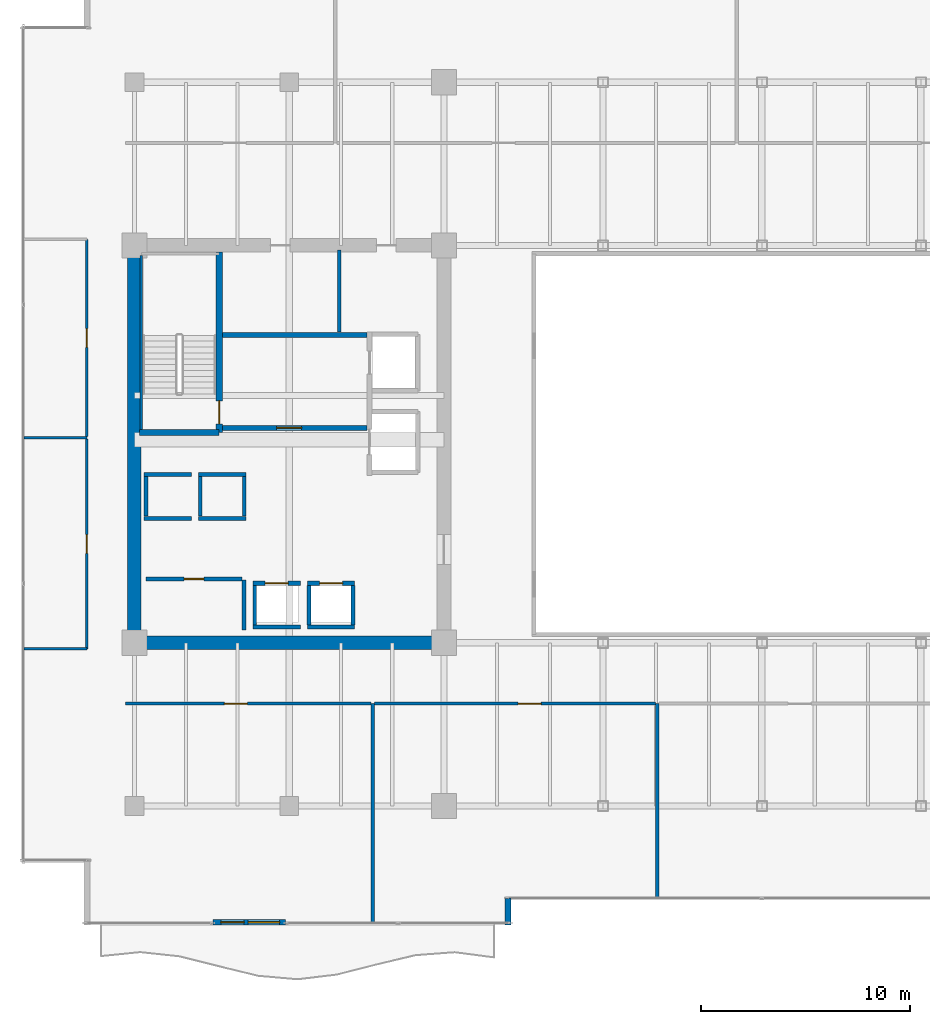
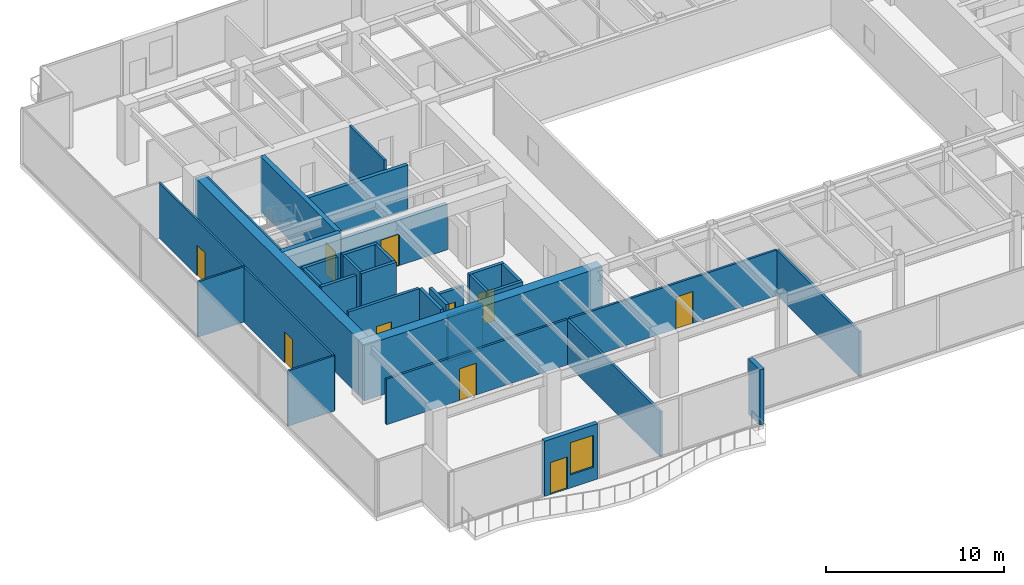
# One storey, part 23 of 30: 34 walls, 10 doors, 1 window, 11 openings.
"""IFC4 building model written with IfcOpenShell, lengths in metres."""

from ifc_helpers import new_model, si_unit, direction, frame, frame_2d, origin, place, context, subcontext, project, spatial, rectangle, extrude, source, transform, mapped, material, layer, layer_set, type_object, type_shapes, element, fill, save


model = new_model("IFC4")

# Units and contexts
model_context = context("Model", 3, precision=1e-05, world=origin(), true_north=direction((0.0, 1.0)))
body_context = subcontext(model_context, "Body", "Model", "MODEL_VIEW")
ifc_project = project(units=[si_unit("LENGTHUNIT", "METRE"), si_unit("AREAUNIT", "SQUARE_METRE"), si_unit("VOLUMEUNIT", "CUBIC_METRE"), si_unit("PLANEANGLEUNIT", "RADIAN"), si_unit("MASSUNIT", "GRAM", prefix="KILO")], contexts=[model_context])

# Site, building, storey
site_placement = place(None, origin())
site = spatial("IfcSite", under=ifc_project, at=site_placement, CompositionType="ELEMENT")
building_placement = place(site_placement, origin())
building = spatial("IfcBuilding", under=site, at=building_placement, Name="Haelvirn Gate Laboratories", CompositionType="ELEMENT")
storey_placement = place(building_placement, frame((0.0, 0.0, 146.10009765625)))
storey = spatial("IfcBuildingStorey", under=building, at=storey_placement, Name="L35", CompositionType="ELEMENT", Elevation=146.10009765625)

# Wall, openings, door, window
ifc_material_1 = material(Name="Thermally-broken bronze aluminium rainscreen & mineral wool", Category="aluminium")
ifc_layer_1 = layer(ifc_material_1, 0.280029296875, Name="EW-TERR-280")
ifc_layer_set_1 = layer_set([ifc_layer_1], Name="Thermally-broken bronze aluminium rainscreen & mineral wool")
wall_type_1 = type_object("IfcWallType", Name="EW-TERR-280", PredefinedType="STANDARD", material=ifc_layer_set_1)
wall_1_placement = place(storey_placement, frame((11.162109375, 1.43994140625, 0.0), z_axis=(0.0, 0.0, 1.0), x_axis=(1.0, 0.0, 0.0)))
wall_1 = element("IfcWall", 1, at=wall_1_placement, inside=storey, type_object=wall_type_1, Name="L35 Terrace Access Wall WB-WL-S", PredefinedType="STANDARD", context=body_context, shape_type="SweptSolid", body=[
    extrude(rectangle(XDim=3.4609375, YDim=0.280029296875, at=frame_2d((1.73046875, 0.0))), origin(), (0.0, 0.0, 1.0), 3.789794921875),
])
opening_1_placement = place(wall_1_placement, frame((0.3779296875, 0.0, 0.0)))
opening_1 = element("IfcOpeningElement", 2, at=opening_1_placement, cuts=wall_1, Name="Opening TD1", PredefinedType="OPENING", context=body_context, shape_type="SweptSolid", body=[
    extrude(rectangle(XDim=1.10009765625, YDim=2.199951171875, at=frame_2d((0.550048828125, 1.10009765625))), frame((0.0, 0.14990234375, 0.0), z_axis=(0.0, -1.0, 0.0), x_axis=(1.0, 0.0, 0.0)), (0.0, 0.0, 1.0), 0.300048828125),
])
opening_2_placement = place(wall_1_placement, frame((1.677978515625, 0.0, 0.89990234375)))
opening_2 = element("IfcOpeningElement", 3, at=opening_2_placement, cuts=wall_1, Name="Opening W3", PredefinedType="OPENING", context=body_context, shape_type="SweptSolid", body=[
    extrude(rectangle(XDim=1.5, YDim=2.199951171875, at=frame_2d((0.75, 1.10009765625))), frame((0.0, 0.14990234375, 0.0), z_axis=(0.0, -1.0, 0.0), x_axis=(1.0, 0.0, 0.0)), (0.0, 0.0, 1.0), 0.300048828125),
])
ifc_material_2 = material(Name="Thermally-broken bronze aluminium glazed terrace door", Category="aluminium")
door_type_1 = type_object("IfcDoorType", Name="DR-TERR-1100", OperationType="NOTDEFINED", PredefinedType="DOOR", material=ifc_material_2)
shared_shape_1 = source(origin(), body_context, "Body", "SweptSolid", [
    extrude(rectangle(XDim=1.10009765625, YDim=2.199951171875, at=frame_2d((0.550048828125, 1.10009765625))), frame((0.0, 0.02490234375, 0.0), z_axis=(0.0, -1.0, 0.0), x_axis=(1.0, 0.0, 0.0)), (0.0, 0.0, 1.0), 0.050048828125),
])
type_shapes(door_type_1, [shared_shape_1])
door_1_placement = place(opening_1_placement, origin())
door_1 = element("IfcDoor", 4, at=door_1_placement, inside=storey, type_object=door_type_1, Name="L35 Terrace Access Door WB-WL-S", OperationType="SINGLE_SWING_LEFT", OverallHeight=2.199951171875, OverallWidth=1.10009765625, PredefinedType="DOOR", context=body_context, shape_type="MappedRepresentation", body=[
    mapped(shared_shape_1, transform((0.0, 0.0, 0.0), scale=1.0)),
])
fill(opening_1, door_1)
ifc_material_3 = material(Name="Bronze anodised aluminium & triple low-E glass", Category="aluminium")
window_type = type_object("IfcWindowType", Name="WIN-TERR-1600", PartitioningType="SINGLE_PANEL", PredefinedType="WINDOW", material=ifc_material_3)
shared_shape_2 = source(origin(), body_context, "Body", "SweptSolid", [
    extrude(rectangle(XDim=1.5, YDim=2.199951171875, at=frame_2d((0.75, 1.10009765625))), frame((0.0, 0.030029296875, 0.0), z_axis=(0.0, -1.0, 0.0), x_axis=(1.0, 0.0, 0.0)), (0.0, 0.0, 1.0), 0.06005859375),
])
type_shapes(window_type, [shared_shape_2])
window_placement = place(opening_2_placement, origin())
window = element("IfcWindow", 5, at=window_placement, inside=storey, type_object=window_type, Name="L35 Terrace Vision Window WB-WL-S", OverallHeight=2.199951171875, OverallWidth=1.5, PartitioningType="SINGLE_PANEL", PredefinedType="WINDOW", context=body_context, shape_type="MappedRepresentation", body=[
    mapped(shared_shape_2, transform((0.0, 0.0, 0.0), scale=1.0)),
])
fill(opening_2, window)

# Walls
wall_2_placement = place(storey_placement, frame((25.260009765625, 1.300048828125, 0.0), z_axis=(0.0, 0.0, 1.0), x_axis=(0.0, 1.0, 0.0)))
element("IfcWall", 6, at=wall_2_placement, inside=storey, type_object=wall_type_1, Name="L35 Atrium Recess Bronze Return Wall 01", PredefinedType="STANDARD", context=body_context, shape_type="SweptSolid", body=[
    extrude(rectangle(XDim=1.287841796875, YDim=0.280029296875, at=frame_2d((0.64404296875, 0.0))), origin(), (0.0, 0.0, 1.0), 3.789794921875),
])
ifc_material_4 = material(Name="Double-layer acoustic gypsum laboratory partition", Category="gypsum")
ifc_layer_2 = layer(ifc_material_4, 0.159912109375, Name="IW-ACOUST-160")
ifc_layer_set_2 = layer_set([ifc_layer_2], Name="Double-layer acoustic gypsum laboratory partition")
wall_type_2 = type_object("IfcWallType", Name="IW-ACOUST-160", PredefinedType="PARTITIONING", material=ifc_layer_set_2)
wall_3_placement = place(storey_placement, frame((18.800048828125, 1.409912109375, 0.0), z_axis=(0.0, 0.0, 1.0), x_axis=(0.0, 1.0, 0.0)))
element("IfcWall", 7, at=wall_3_placement, inside=storey, type_object=wall_type_2, Name="L35 Interior Wall IW-L35-SDIV-01", PredefinedType="PARTITIONING", context=body_context, shape_type="SweptSolid", body=[
    extrude(rectangle(XDim=10.47998046875, YDim=0.159912109375, at=frame_2d((5.239990234375, 0.0))), origin(), (0.0, 0.0, 1.0), 3.074951171875),
])
wall_4_placement = place(storey_placement, frame((32.39990234375, 2.610107421875, 0.0), z_axis=(0.0, 0.0, 1.0), x_axis=(0.0, 1.0, 0.0)))
element("IfcWall", 8, at=wall_4_placement, inside=storey, type_object=wall_type_2, Name="L35 Interior Wall IW-L35-SDIV-02", PredefinedType="PARTITIONING", context=body_context, shape_type="SweptSolid", body=[
    extrude(rectangle(XDim=9.27978515625, YDim=0.159912109375, at=frame_2d((4.639892578125, 0.0))), origin(), (0.0, 0.0, 1.0), 3.074951171875),
])
ifc_material_5 = material(Name="Lightweight acoustic gypsum board partition", Category="gypsum")
ifc_layer_3 = layer(ifc_material_5, 0.1201171875, Name="IW-PART-120")
ifc_layer_set_3 = layer_set([ifc_layer_3], Name="Lightweight acoustic gypsum board partition")
wall_type_3 = type_object("IfcWallType", Name="IW-PART-120", PredefinedType="PARTITIONING", material=ifc_layer_set_3)
wall_5_placement = place(storey_placement, frame((2.110107421875, 14.514892578125, 0.0), z_axis=(0.0, 0.0, 1.0), x_axis=(1.0, 0.0, 0.0)))
element("IfcWall", 9, at=wall_5_placement, inside=storey, type_object=wall_type_3, Name="L35 Interior Wall IW-L35-WCAP-S", PredefinedType="PARTITIONING", context=body_context, shape_type="SweptSolid", body=[
    extrude(rectangle(XDim=3.019775390625, YDim=0.1201171875, at=frame_2d((1.509765625, 0.0))), origin(), (0.0, 0.0, 1.0), 3.789794921875),
])

# Wall, opening, door
wall_6_placement = place(storey_placement, frame((5.1298828125, 14.514892578125, 0.0), z_axis=(0.0, 0.0, 1.0), x_axis=(0.0, 1.0, 0.0)))
wall_6 = element("IfcWall", 10, at=wall_6_placement, inside=storey, type_object=wall_type_3, Name="L35 Interior Wall IW-L35-WPASS-01", PredefinedType="PARTITIONING", context=body_context, shape_type="SweptSolid", body=[
    extrude(rectangle(XDim=10.025146484375, YDim=0.1201171875, at=frame_2d((5.0126953125, 0.0))), origin(), (0.0, 0.0, 1.0), 3.789794921875),
])
opening_3_placement = place(wall_6_placement, frame((4.5625, 0.0, 0.0)))
opening_3 = element("IfcOpeningElement", 11, at=opening_3_placement, cuts=wall_6, Name="Opening D4", PredefinedType="OPENING", context=body_context, shape_type="SweptSolid", body=[
    extrude(rectangle(XDim=0.89990234375, YDim=2.10009765625, at=frame_2d((0.449951171875, 1.050048828125))), frame((0.0, 0.070068359375, 0.0), z_axis=(0.0, -1.0, 0.0), x_axis=(1.0, 0.0, 0.0)), (0.0, 0.0, 1.0), 0.14013671875),
])
ifc_material_6 = material(Name="Glazed aluminium-framed write-up door", Category="aluminium")
door_type_2 = type_object("IfcDoorType", Name="DR-OFF-900", OperationType="NOTDEFINED", PredefinedType="DOOR", material=ifc_material_6)
shared_shape_3 = source(origin(), body_context, "Body", "SweptSolid", [
    extrude(rectangle(XDim=0.89990234375, YDim=2.10009765625, at=frame_2d((0.449951171875, 1.050048828125))), frame((0.0, 0.02490234375, 0.0), z_axis=(0.0, -1.0, 0.0), x_axis=(1.0, 0.0, 0.0)), (0.0, 0.0, 1.0), 0.050048828125),
])
type_shapes(door_type_2, [shared_shape_3])
door_2_placement = place(opening_3_placement, origin())
door_2 = element("IfcDoor", 12, at=door_2_placement, inside=storey, type_object=door_type_2, Name="L35 Researcher Break Pantry Door W1", OperationType="SINGLE_SWING_LEFT", OverallHeight=2.10009765625, OverallWidth=0.89990234375, PredefinedType="DOOR", context=body_context, shape_type="MappedRepresentation", body=[
    mapped(shared_shape_3, transform((0.0, 0.0, 0.0), scale=1.0)),
])
fill(opening_3, door_2)

# Wall
wall_7_placement = place(storey_placement, frame((2.110107421875, 24.60009765625, 0.0), z_axis=(0.0, 0.0, 1.0), x_axis=(1.0, 0.0, 0.0)))
element("IfcWall", 13, at=wall_7_placement, inside=storey, type_object=wall_type_3, Name="L35 Interior Wall IW-L35-WDIV-01", PredefinedType="PARTITIONING", context=body_context, shape_type="SweptSolid", body=[
    extrude(rectangle(XDim=3.019775390625, YDim=0.1201171875, at=frame_2d((1.509765625, 0.0))), origin(), (0.0, 0.0, 1.0), 3.789794921875),
])

# Wall, opening, door
wall_8_placement = place(storey_placement, frame((5.1298828125, 24.659912109375, 0.0), z_axis=(0.0, 0.0, 1.0), x_axis=(0.0, 1.0, 0.0)))
wall_8 = element("IfcWall", 14, at=wall_8_placement, inside=storey, type_object=wall_type_3, Name="L35 Interior Wall IW-L35-WPASS-02", PredefinedType="PARTITIONING", context=body_context, shape_type="SweptSolid", body=[
    extrude(rectangle(XDim=9.425048828125, YDim=0.1201171875, at=frame_2d((4.71240234375, 0.0))), origin(), (0.0, 0.0, 1.0), 3.789794921875),
])
opening_4_placement = place(wall_8_placement, frame((4.262451171875, 0.0, 0.0)))
opening_4 = element("IfcOpeningElement", 15, at=opening_4_placement, cuts=wall_8, Name="Opening D4", PredefinedType="OPENING", context=body_context, shape_type="SweptSolid", body=[
    extrude(rectangle(XDim=0.89990234375, YDim=2.10009765625, at=frame_2d((0.449951171875, 1.050048828125))), frame((0.0, 0.070068359375, 0.0), z_axis=(0.0, -1.0, 0.0), x_axis=(1.0, 0.0, 0.0)), (0.0, 0.0, 1.0), 0.14013671875),
])
door_3_placement = place(opening_4_placement, origin())
door_3 = element("IfcDoor", 16, at=door_3_placement, inside=storey, type_object=door_type_2, Name="L35 Proteomics Mass-Spec Laboratory Door W2", OperationType="SINGLE_SWING_RIGHT", OverallHeight=2.10009765625, OverallWidth=0.89990234375, PredefinedType="DOOR", context=body_context, shape_type="MappedRepresentation", body=[
    mapped(shared_shape_3, transform((0.0, 0.0, 0.0), scale=1.0)),
])
fill(opening_4, door_3)

ifc_material_7 = material(Name="Acoustic mineral-wool gypsum board partition", Category="gypsum")
ifc_layer_4 = layer(ifc_material_7, 0.139892578125, Name="IW-PART-140")
ifc_layer_set_4 = layer_set([ifc_layer_4], Name="Acoustic mineral-wool gypsum board partition")
wall_type_4 = type_object("IfcWallType", Name="IW-PART-140", PredefinedType="PARTITIONING", material=ifc_layer_set_4)
wall_9_placement = place(storey_placement, frame((6.97998046875, 11.889892578125, 0.0), z_axis=(0.0, 0.0, 1.0), x_axis=(1.0, 0.0, 0.0)))
wall_9 = element("IfcWall", 17, at=wall_9_placement, inside=storey, type_object=wall_type_4, Name="L35 Interior Wall IW-L35-SCORR-01", PredefinedType="PARTITIONING", context=body_context, shape_type="SweptSolid", body=[
    extrude(rectangle(XDim=11.739990234375, YDim=0.139892578125, at=frame_2d((5.8701171875, 0.0))), origin(), (0.0, 0.0, 1.0), 3.125),
])
opening_5_placement = place(wall_9_placement, frame((4.7236328125, 0.0, 0.0)))
opening_5 = element("IfcOpeningElement", 18, at=opening_5_placement, cuts=wall_9, Name="Opening D1", PredefinedType="OPENING", context=body_context, shape_type="SweptSolid", body=[
    extrude(rectangle(XDim=1.10009765625, YDim=2.179931640625, at=frame_2d((0.550048828125, 1.08984375))), frame((0.0, 0.080078125, 0.0), z_axis=(0.0, -1.0, 0.0), x_axis=(1.0, 0.0, 0.0)), (0.0, 0.0, 1.0), 0.159912109375),
])
ifc_material_8 = material(Name="Vision-panel acoustic solid-core timber lab door", Category="wood")
door_type_3 = type_object("IfcDoorType", Name="DR-LAB-1100", OperationType="NOTDEFINED", PredefinedType="DOOR", material=ifc_material_8)
shared_shape_4 = source(origin(), body_context, "Body", "SweptSolid", [
    extrude(rectangle(XDim=1.10009765625, YDim=2.179931640625, at=frame_2d((0.550048828125, 1.08984375))), frame((0.0, 0.02490234375, 0.0), z_axis=(0.0, -1.0, 0.0), x_axis=(1.0, 0.0, 0.0)), (0.0, 0.0, 1.0), 0.050048828125),
])
type_shapes(door_type_3, [shared_shape_4])
door_4_placement = place(opening_5_placement, origin())
door_4 = element("IfcDoor", 19, at=door_4_placement, inside=storey, type_object=door_type_3, Name="L35 Translational Data Office Door S1", OperationType="SINGLE_SWING_RIGHT", OverallHeight=2.179931640625, OverallWidth=1.10009765625, PredefinedType="DOOR", context=body_context, shape_type="MappedRepresentation", body=[
    mapped(shared_shape_4, transform((0.0, 0.0, 0.0), scale=1.0)),
])
fill(opening_5, door_4)

wall_10_placement = place(storey_placement, frame((18.8798828125, 11.889892578125, 0.0), z_axis=(0.0, 0.0, 1.0), x_axis=(1.0, 0.0, 0.0)))
wall_10 = element("IfcWall", 20, at=wall_10_placement, inside=storey, type_object=wall_type_4, Name="L35 Interior Wall IW-L35-SCORR-02", PredefinedType="PARTITIONING", context=body_context, shape_type="SweptSolid", body=[
    extrude(rectangle(XDim=13.440185546875, YDim=0.139892578125, at=frame_2d((6.72021484375, 0.0))), origin(), (0.0, 0.0, 1.0), 3.125),
])
opening_6_placement = place(wall_10_placement, frame((6.868408203125, 0.0, 0.0)))
opening_6 = element("IfcOpeningElement", 21, at=opening_6_placement, cuts=wall_10, Name="Opening D1", PredefinedType="OPENING", context=body_context, shape_type="SweptSolid", body=[
    extrude(rectangle(XDim=1.10009765625, YDim=2.179931640625, at=frame_2d((0.550048828125, 1.08984375))), frame((0.0, 0.080078125, 0.0), z_axis=(0.0, -1.0, 0.0), x_axis=(1.0, 0.0, 0.0)), (0.0, 0.0, 1.0), 0.159912109375),
])
door_5_placement = place(opening_6_placement, origin())
door_5 = element("IfcDoor", 22, at=door_5_placement, inside=storey, type_object=door_type_3, Name="L35 Computational Write-Up Office Door S2", OperationType="SINGLE_SWING_LEFT", OverallHeight=2.179931640625, OverallWidth=1.10009765625, PredefinedType="DOOR", context=body_context, shape_type="MappedRepresentation", body=[
    mapped(shared_shape_4, transform((0.0, 0.0, 0.0), scale=1.0)),
])
fill(opening_6, door_5)

# Walls
ifc_material_9 = material(Name="Cement-board restroom plumbing chase wall", Category="gypsum")
ifc_layer_5 = layer(ifc_material_9, 0.155029296875, Name="IW-PLUMB-160")
ifc_layer_set_5 = layer_set([ifc_layer_5], Name="Cement-board restroom plumbing chase wall")
wall_type_5 = type_object("IfcWallType", Name="IW-PLUMB-160", PredefinedType="PLUMBINGWALL", material=ifc_layer_set_5)
wall_11_placement = place(storey_placement, frame((17.18994140625, 29.64990234375, 0.0), z_axis=(0.0, 0.0, 1.0), x_axis=(0.0, 1.0, 0.0)))
element("IfcWall", 23, at=wall_11_placement, inside=storey, type_object=wall_type_5, Name="L35 Interior Wall IW-L35-W-CDIV-1", PredefinedType="PLUMBINGWALL", context=body_context, shape_type="SweptSolid", body=[
    extrude(rectangle(XDim=3.93017578125, YDim=0.155029296875, at=frame_2d((1.965087890625, 0.0))), origin(), (0.0, 0.0, 1.0), 3.789794921875),
])
ifc_material_10 = material(Name="Concrete C40/50", Category="concrete")
ifc_layer_6 = layer(ifc_material_10, 0.179931640625, Name="IW-SHAFT-180")
ifc_layer_set_6 = layer_set([ifc_layer_6], Name="Concrete C40/50")
wall_type_6 = type_object("IfcWallType", Name="IW-SHAFT-180", PredefinedType="SOLIDWALL", material=ifc_layer_set_6)
for number, where, z_axis, x_axis, name in (
    (24, (13.14990234375, 15.64990234375, 0.0), (0.0, 0.0, 1.0), (0.0, 1.0, 0.0), "L35 Interior Wall IW-L35-PL5-SD"),
    (25, (15.75, 15.64990234375, 0.0), (0.0, 0.0, 1.0), (0.0, 1.0, 0.0), "L35 Interior Wall IW-L35-PL6-SD"),
    (26, (17.85009765625, 15.64990234375, 0.0), (0.0, 0.0, 1.0), (0.0, 1.0, 0.0), "L35 Interior Wall IW-L35-PL6-SDE"),
):
    element("IfcWall", number, at=place(storey_placement, frame(where, z_axis=z_axis, x_axis=x_axis)), inside=storey, type_object=wall_type_6, Name=name, PredefinedType="SOLIDWALL", context=body_context, shape_type="SweptSolid", body=[
        extrude(rectangle(XDim=1.900146484375, YDim=0.179931640625, at=frame_2d((0.9501953125, 0.0))), origin(), (0.0, 0.0, 1.0), 3.789794921875),
    ])
for number, where, z_axis, x_axis, name in (
    (27, (7.949951171875, 20.85009765625, 0.0), (0.0, 0.0, 1.0), (0.0, 1.0, 0.0), "L35 Interior Wall IW-L35-PL9-SD"),
    (28, (10.550048828125, 20.85009765625, 0.0), (0.0, 0.0, 1.0), (0.0, 1.0, 0.0), "L35 Interior Wall IW-L35-PL10-SD"),
    (29, (12.64990234375, 20.85009765625, 0.0), (0.0, 0.0, 1.0), (0.0, 1.0, 0.0), "L35 Interior Wall IW-L35-PL10-SDE"),
):
    element("IfcWall", number, at=place(storey_placement, frame(where, z_axis=z_axis, x_axis=x_axis)), inside=storey, type_object=wall_type_6, Name=name, PredefinedType="SOLIDWALL", context=body_context, shape_type="SweptSolid", body=[
        extrude(rectangle(XDim=1.89990234375, YDim=0.179931640625, at=frame_2d((0.949951171875, 0.0))), origin(), (0.0, 0.0, 1.0), 3.789794921875),
    ])

# Wall, opening, door
wall_12_placement = place(storey_placement, frame((7.949951171875, 17.85009765625, 0.0), z_axis=(0.0, 0.0, 1.0), x_axis=(1.0, 0.0, 0.0)))
wall_12 = element("IfcWall", 30, at=wall_12_placement, inside=storey, type_object=wall_type_6, Name="L35 Interior Wall IW-L35-W-FREED-LN-1", PredefinedType="SOLIDWALL", context=body_context, shape_type="SweptSolid", body=[
    extrude(rectangle(XDim=4.60009765625, YDim=0.179931640625, at=frame_2d((2.300048828125, 0.0))), origin(), (0.0, 0.0, 1.0), 3.789794921875),
])
opening_7_placement = place(wall_12_placement, frame((1.824951171875, 0.0, 0.0)))
opening_7 = element("IfcOpeningElement", 31, at=opening_7_placement, cuts=wall_12, Name="Opening FD4", PredefinedType="OPENING", context=body_context, shape_type="SweptSolid", body=[
    extrude(rectangle(XDim=0.949951171875, YDim=2.14990234375, at=frame_2d((0.47509765625, 1.074951171875))), frame((0.0, 0.10009765625, 0.0), z_axis=(0.0, -1.0, 0.0), x_axis=(1.0, 0.0, 0.0)), (0.0, 0.0, 1.0), 0.199951171875),
])
ifc_material_11 = material(Name="Fire-rated steel SM355 core service door", Category="steel")
door_type_4 = type_object("IfcDoorType", Name="DR-FD-950", OperationType="NOTDEFINED", PredefinedType="DOOR", material=ifc_material_11)
shared_shape_5 = source(origin(), body_context, "Body", "SweptSolid", [
    extrude(rectangle(XDim=0.949951171875, YDim=2.14990234375, at=frame_2d((0.47509765625, 1.074951171875))), frame((0.0, 0.02490234375, 0.0), z_axis=(0.0, -1.0, 0.0), x_axis=(1.0, 0.0, 0.0)), (0.0, 0.0, 1.0), 0.050048828125),
])
type_shapes(door_type_4, [shared_shape_5])
door_6_placement = place(opening_7_placement, origin())
door_6 = element("IfcDoor", 32, at=door_6_placement, inside=storey, type_object=door_type_4, Name="L35 Cryogenic Specimen Biobank Door", OperationType="SINGLE_SWING_LEFT", OverallHeight=2.14990234375, OverallWidth=0.949951171875, PredefinedType="DOOR", context=body_context, shape_type="MappedRepresentation", body=[
    mapped(shared_shape_5, transform((0.0, 0.0, 0.0), scale=1.0)),
])
fill(opening_7, door_6)

# Wall
wall_13_placement = place(storey_placement, frame((12.639892578125, 15.39990234375, 0.0), z_axis=(0.0, 0.0, 1.0), x_axis=(0.0, 1.0, 0.0)))
element("IfcWall", 33, at=wall_13_placement, inside=storey, type_object=wall_type_6, Name="L35 Interior Wall IW-L35-W-FREED-LE-1", PredefinedType="SOLIDWALL", context=body_context, shape_type="SweptSolid", body=[
    extrude(rectangle(XDim=2.400146484375, YDim=0.179931640625, at=frame_2d((1.2001953125, 0.0))), origin(), (0.0, 0.0, 1.0), 3.789794921875),
])

# Wall, opening, door
ifc_layer_7 = layer(ifc_material_10, 0.199951171875, Name="IW-SHAFT-200")
ifc_layer_set_7 = layer_set([ifc_layer_7], Name="Concrete C40/50")
wall_type_7 = type_object("IfcWallType", Name="IW-SHAFT-200", PredefinedType="SOLIDWALL", material=ifc_layer_set_7)
wall_14_placement = place(storey_placement, frame((13.070068359375, 17.64990234375, 0.0), z_axis=(0.0, 0.0, 1.0), x_axis=(1.0, 0.0, 0.0)))
wall_14 = element("IfcWall", 34, at=wall_14_placement, inside=storey, type_object=wall_type_7, Name="L35 Interior Wall IW-L35-PL5-FR", PredefinedType="SOLIDWALL", context=body_context, shape_type="SweptSolid", body=[
    extrude(rectangle(XDim=2.260009765625, YDim=0.199951171875, at=frame_2d((1.1298828125, 0.0))), origin(), (0.0, 0.0, 1.0), 3.125),
])
opening_8_placement = place(wall_14_placement, frame((0.580078125, 0.0, 0.0)))
opening_8 = element("IfcOpeningElement", 35, at=opening_8_placement, cuts=wall_14, Name="Opening LD2", PredefinedType="OPENING", context=body_context, shape_type="SweptSolid", body=[
    extrude(rectangle(XDim=1.10009765625, YDim=2.219970703125, at=frame_2d((0.550048828125, 1.10986328125))), frame((0.0, 0.10986328125, 0.0), z_axis=(0.0, -1.0, 0.0), x_axis=(1.0, 0.0, 0.0)), (0.0, 0.0, 1.0), 0.219970703125),
])
ifc_material_12 = material(Name="Bronze stainless 316L sliding lift landing door")
door_type_5 = type_object("IfcDoorType", Name="DR-LD-1100", OperationType="NOTDEFINED", PredefinedType="USERDEFINED", material=ifc_material_12)
shared_shape_6 = source(origin(), body_context, "Body", "SweptSolid", [
    extrude(rectangle(XDim=1.10009765625, YDim=2.219970703125, at=frame_2d((0.550048828125, 1.10986328125))), frame((0.0, 0.02490234375, 0.0), z_axis=(0.0, -1.0, 0.0), x_axis=(1.0, 0.0, 0.0)), (0.0, 0.0, 1.0), 0.050048828125),
])
type_shapes(door_type_5, [shared_shape_6])
door_7_placement = place(opening_8_placement, origin())
door_7 = element("IfcDoor", 36, at=door_7_placement, inside=storey, type_object=door_type_5, Name="L35 Passenger Lift PL5 Landing Door", ObjectType="LANDING_DOOR", OperationType="SLIDING_TO_LEFT", OverallHeight=2.219970703125, OverallWidth=1.10009765625, PredefinedType="USERDEFINED", context=body_context, shape_type="MappedRepresentation", body=[
    mapped(shared_shape_6, transform((0.0, 0.0, 0.0), scale=1.0)),
])
fill(opening_8, door_7)

# Wall
wall_15_placement = place(storey_placement, frame((13.070068359375, 15.550048828125, 0.0), z_axis=(0.0, 0.0, 1.0), x_axis=(1.0, 0.0, 0.0)))
element("IfcWall", 37, at=wall_15_placement, inside=storey, type_object=wall_type_7, Name="L35 Interior Wall IW-L35-PL5-BK", PredefinedType="SOLIDWALL", context=body_context, shape_type="SweptSolid", body=[
    extrude(rectangle(XDim=2.260009765625, YDim=0.199951171875, at=frame_2d((1.1298828125, 0.0))), origin(), (0.0, 0.0, 1.0), 3.125),
])

# Wall, opening, door
wall_16_placement = place(storey_placement, frame((15.669921875, 17.64990234375, 0.0), z_axis=(0.0, 0.0, 1.0), x_axis=(1.0, 0.0, 0.0)))
wall_16 = element("IfcWall", 38, at=wall_16_placement, inside=storey, type_object=wall_type_7, Name="L35 Interior Wall IW-L35-PL6-FR", PredefinedType="SOLIDWALL", context=body_context, shape_type="SweptSolid", body=[
    extrude(rectangle(XDim=2.260009765625, YDim=0.199951171875, at=frame_2d((1.1298828125, 0.0))), origin(), (0.0, 0.0, 1.0), 3.789794921875),
])
opening_9_placement = place(wall_16_placement, frame((0.580078125, 0.0, 0.0)))
opening_9 = element("IfcOpeningElement", 39, at=opening_9_placement, cuts=wall_16, Name="Opening LD2", PredefinedType="OPENING", context=body_context, shape_type="SweptSolid", body=[
    extrude(rectangle(XDim=1.10009765625, YDim=2.219970703125, at=frame_2d((0.550048828125, 1.10986328125))), frame((0.0, 0.10986328125, 0.0), z_axis=(0.0, -1.0, 0.0), x_axis=(1.0, 0.0, 0.0)), (0.0, 0.0, 1.0), 0.219970703125),
])
door_8_placement = place(opening_9_placement, origin())
door_8 = element("IfcDoor", 40, at=door_8_placement, inside=storey, type_object=door_type_5, Name="L35 Passenger Lift PL6 Landing Door", ObjectType="LANDING_DOOR", OperationType="SLIDING_TO_RIGHT", OverallHeight=2.219970703125, OverallWidth=1.10009765625, PredefinedType="USERDEFINED", context=body_context, shape_type="MappedRepresentation", body=[
    mapped(shared_shape_6, transform((0.0, 0.0, 0.0), scale=1.0)),
])
fill(opening_9, door_8)

# Walls
wall_17_placement = place(storey_placement, frame((15.669921875, 15.550048828125, 0.0), z_axis=(0.0, 0.0, 1.0), x_axis=(1.0, 0.0, 0.0)))
element("IfcWall", 41, at=wall_17_placement, inside=storey, type_object=wall_type_7, Name="L35 Interior Wall IW-L35-PL6-BK", PredefinedType="SOLIDWALL", context=body_context, shape_type="SweptSolid", body=[
    extrude(rectangle(XDim=2.260009765625, YDim=0.199951171875, at=frame_2d((1.1298828125, 0.0))), origin(), (0.0, 0.0, 1.0), 3.789794921875),
])
for number, where, z_axis, x_axis, name in (
    (42, (7.8701171875, 20.75, 0.0), (0.0, 0.0, 1.0), (1.0, 0.0, 0.0), "L35 Interior Wall IW-L35-PL9-FR"),
    (43, (7.8701171875, 22.85009765625, 0.0), (0.0, 0.0, 1.0), (1.0, 0.0, 0.0), "L35 Interior Wall IW-L35-PL9-BK"),
):
    element("IfcWall", number, at=place(storey_placement, frame(where, z_axis=z_axis, x_axis=x_axis)), inside=storey, type_object=wall_type_7, Name=name, PredefinedType="SOLIDWALL", context=body_context, shape_type="SweptSolid", body=[
        extrude(rectangle(XDim=2.259765625, YDim=0.199951171875, at=frame_2d((1.1298828125, 0.0))), origin(), (0.0, 0.0, 1.0), 3.789794921875),
    ])
for number, where, z_axis, x_axis, name in (
    (44, (10.469970703125, 20.75, 0.0), (0.0, 0.0, 1.0), (1.0, 0.0, 0.0), "L35 Interior Wall IW-L35-PL10-FR"),
    (45, (10.469970703125, 22.85009765625, 0.0), (0.0, 0.0, 1.0), (1.0, 0.0, 0.0), "L35 Interior Wall IW-L35-PL10-BK"),
):
    element("IfcWall", number, at=place(storey_placement, frame(where, z_axis=z_axis, x_axis=x_axis)), inside=storey, type_object=wall_type_7, Name=name, PredefinedType="SOLIDWALL", context=body_context, shape_type="SweptSolid", body=[
        extrude(rectangle(XDim=2.260009765625, YDim=0.199951171875, at=frame_2d((1.1298828125, 0.0))), origin(), (0.0, 0.0, 1.0), 3.789794921875),
    ])

# Wall, opening, door
ifc_layer_8 = layer(ifc_material_10, 0.239990234375, Name="IW-SHAFT-240")
ifc_layer_set_8 = layer_set([ifc_layer_8], Name="Concrete C40/50")
wall_type_8 = type_object("IfcWallType", Name="IW-SHAFT-240", PredefinedType="SOLIDWALL", material=ifc_layer_set_8)
wall_18_placement = place(storey_placement, frame((11.60009765625, 25.080078125, 0.0), z_axis=(0.0, 0.0, 1.0), x_axis=(1.0, 0.0, 0.0)))
wall_18 = element("IfcWall", 46, at=wall_18_placement, inside=storey, type_object=wall_type_8, Name="L35 Interior Wall IW-L35-W-FF-S", PredefinedType="SOLIDWALL", context=body_context, shape_type="SweptSolid", body=[
    extrude(rectangle(XDim=6.919921875, YDim=0.239990234375, at=frame_2d((3.4599609375, 0.0))), origin(), (0.0, 0.0, 1.0), 3.125),
])
opening_10_placement = place(wall_18_placement, frame((2.60009765625, 0.0, 0.0)))
opening_10 = element("IfcOpeningElement", 47, at=opening_10_placement, cuts=wall_18, Name="Opening FD2", PredefinedType="OPENING", context=body_context, shape_type="SweptSolid", body=[
    extrude(rectangle(XDim=1.199951171875, YDim=2.159912109375, at=frame_2d((0.60009765625, 1.080078125))), frame((0.0, 0.1298828125, 0.0), z_axis=(0.0, -1.0, 0.0), x_axis=(1.0, 0.0, 0.0)), (0.0, 0.0, 1.0), 0.260009765625),
])
ifc_material_13 = material(Name="Fire-rated steel SM355 compartment door", Category="steel")
door_type_6 = type_object("IfcDoorType", Name="DR-FD-1200", OperationType="NOTDEFINED", PredefinedType="DOOR", material=ifc_material_13)
shared_shape_7 = source(origin(), body_context, "Body", "SweptSolid", [
    extrude(rectangle(XDim=1.199951171875, YDim=2.159912109375, at=frame_2d((0.60009765625, 1.080078125))), frame((0.0, 0.02490234375, 0.0), z_axis=(0.0, -1.0, 0.0), x_axis=(1.0, 0.0, 0.0)), (0.0, 0.0, 1.0), 0.050048828125),
])
type_shapes(door_type_6, [shared_shape_7])
door_9_placement = place(opening_10_placement, origin())
door_9 = element("IfcDoor", 48, at=door_9_placement, inside=storey, type_object=door_type_6, Name="L35 West Firefighting Lobby Door", OperationType="SINGLE_SWING_RIGHT", OverallHeight=2.159912109375, OverallWidth=1.199951171875, PredefinedType="DOOR", context=body_context, shape_type="MappedRepresentation", body=[
    mapped(shared_shape_7, transform((0.0, 0.0, 0.0), scale=1.0)),
])
fill(opening_10, door_9)

# Walls
wall_19_placement = place(storey_placement, frame((11.60009765625, 29.52001953125, 0.0), z_axis=(0.0, 0.0, 1.0), x_axis=(1.0, 0.0, 0.0)))
element("IfcWall", 49, at=wall_19_placement, inside=storey, type_object=wall_type_8, Name="L35 Interior Wall IW-L35-W-FF-N", PredefinedType="SOLIDWALL", context=body_context, shape_type="SweptSolid", body=[
    extrude(rectangle(XDim=6.919921875, YDim=0.239990234375, at=frame_2d((3.4599609375, 0.0))), origin(), (0.0, 0.0, 1.0), 3.125),
])
ifc_material_14 = material(Name="Concrete C60/75", Category="concrete")
ifc_layer_9 = layer(ifc_material_14, 0.64990234375, Name="SW-CORE-650")
ifc_layer_set_9 = layer_set([ifc_layer_9], Name="Concrete C60/75")
wall_type_9 = type_object("IfcWallType", Name="SW-CORE-650", PredefinedType="SHEAR", material=ifc_layer_set_9)
wall_20_placement = place(storey_placement, frame((7.074951171875, 14.800048828125, 0.0), z_axis=(0.0, 0.0, 1.0), x_axis=(1.0, 0.0, 0.0)))
element("IfcWall", 50, at=wall_20_placement, inside=storey, type_object=wall_type_9, Name="L35 W Core Shear Wall S", PredefinedType="SHEAR", context=body_context, shape_type="SweptSolid", body=[
    extrude(rectangle(XDim=15.449951171875, YDim=0.64990234375, at=frame_2d((7.72509765625, 0.0))), origin(), (0.0, 0.0, 1.0), 3.789794921875),
])
wall_21_placement = place(storey_placement, frame((7.39990234375, 15.125, 0.0), z_axis=(0.0, 0.0, 1.0), x_axis=(0.0, 1.0, 0.0)))
element("IfcWall", 51, at=wall_21_placement, inside=storey, type_object=wall_type_9, Name="L35 W Core Shear Wall W", PredefinedType="SHEAR", context=body_context, shape_type="SweptSolid", body=[
    extrude(rectangle(XDim=18.35009765625, YDim=0.64990234375, at=frame_2d((9.175048828125, 0.0))), origin(), (0.0, 0.0, 1.0), 3.789794921875),
])
ifc_material_15 = material(Name="Concrete C50/60", Category="concrete")
ifc_layer_10 = layer(ifc_material_15, 0.1201171875, Name="SW-LINER-120")
ifc_layer_set_10 = layer_set([ifc_layer_10], Name="Concrete C50/60")
wall_type_10 = type_object("IfcWallType", Name="SW-LINER-120", PredefinedType="SOLIDWALL", material=ifc_layer_set_10)
wall_22_placement = place(storey_placement, frame((7.72998046875, 25.0, 0.0), z_axis=(0.0, 0.0, 1.0), x_axis=(0.0, 1.0, 0.0)))
element("IfcWall", 52, at=wall_22_placement, inside=storey, type_object=wall_type_10, Name="L35 W Core Stair Shaft Liner Wall OUT", PredefinedType="SOLIDWALL", context=body_context, shape_type="SweptSolid", body=[
    extrude(rectangle(XDim=8.320068359375, YDim=0.1201171875, at=frame_2d((4.16015625, 0.0))), origin(), (0.0, 0.0, 1.0), 3.789794921875),
])

# Wall, opening, door
ifc_layer_11 = layer(ifc_material_15, 0.300048828125, Name="SW-STAIR-300")
ifc_layer_set_11 = layer_set([ifc_layer_11], Name="Concrete C50/60")
wall_type_11 = type_object("IfcWallType", Name="SW-STAIR-300", PredefinedType="SHEAR", material=ifc_layer_set_11)
wall_23_placement = place(storey_placement, frame((11.449951171875, 24.85009765625, 0.0), z_axis=(0.0, 0.0, 1.0), x_axis=(0.0, 1.0, 0.0)))
wall_23 = element("IfcWall", 53, at=wall_23_placement, inside=storey, type_object=wall_type_11, Name="L35 W Core Stair Shaft Structural Wall IN", PredefinedType="SHEAR", context=body_context, shape_type="SweptSolid", body=[
    extrude(rectangle(XDim=8.6298828125, YDim=0.300048828125, at=frame_2d((4.31494140625, 0.0))), origin(), (0.0, 0.0, 1.0), 3.789794921875),
])
opening_11_placement = place(wall_23_placement, frame((0.419921875, 0.0, 0.0)))
opening_11 = element("IfcOpeningElement", 54, at=opening_11_placement, cuts=wall_23, Name="Opening FD3", PredefinedType="OPENING", context=body_context, shape_type="SweptSolid", body=[
    extrude(rectangle(XDim=1.10009765625, YDim=2.14990234375, at=frame_2d((0.550048828125, 1.074951171875))), frame((0.0, 0.16015625, 0.0), z_axis=(0.0, -1.0, 0.0), x_axis=(1.0, 0.0, 0.0)), (0.0, 0.0, 1.0), 0.320068359375),
])
ifc_material_16 = material(Name="Fire-rated steel SM355 escape stair door", Category="steel")
door_type_7 = type_object("IfcDoorType", Name="DR-FD-1100", OperationType="NOTDEFINED", PredefinedType="DOOR", material=ifc_material_16)
shared_shape_8 = source(origin(), body_context, "Body", "SweptSolid", [
    extrude(rectangle(XDim=1.10009765625, YDim=2.14990234375, at=frame_2d((0.550048828125, 1.074951171875))), frame((0.0, 0.02490234375, 0.0), z_axis=(0.0, -1.0, 0.0), x_axis=(1.0, 0.0, 0.0)), (0.0, 0.0, 1.0), 0.050048828125),
])
type_shapes(door_type_7, [shared_shape_8])
door_10_placement = place(opening_11_placement, origin())
door_10 = element("IfcDoor", 55, at=door_10_placement, inside=storey, type_object=door_type_7, Name="L35 Escape Stair ST1 Fire Door", OperationType="SINGLE_SWING_LEFT", OverallHeight=2.14990234375, OverallWidth=1.10009765625, PredefinedType="DOOR", context=body_context, shape_type="MappedRepresentation", body=[
    mapped(shared_shape_8, transform((0.0, 0.0, 0.0), scale=1.0)),
])
fill(opening_11, door_10)

# Wall
wall_24_placement = place(storey_placement, frame((7.64990234375, 24.85009765625, 0.0), z_axis=(0.0, 0.0, 1.0), x_axis=(1.0, 0.0, 0.0)))
element("IfcWall", 56, at=wall_24_placement, inside=storey, type_object=wall_type_11, Name="L35 W Core Stair Shaft Structural Wall S", PredefinedType="SHEAR", context=body_context, shape_type="SweptSolid", body=[
    extrude(rectangle(XDim=3.800048828125, YDim=0.300048828125, at=frame_2d((1.89990234375, 0.0))), origin(), (0.0, 0.0, 1.0), 3.789794921875),
])

save(model, "model.ifc")
